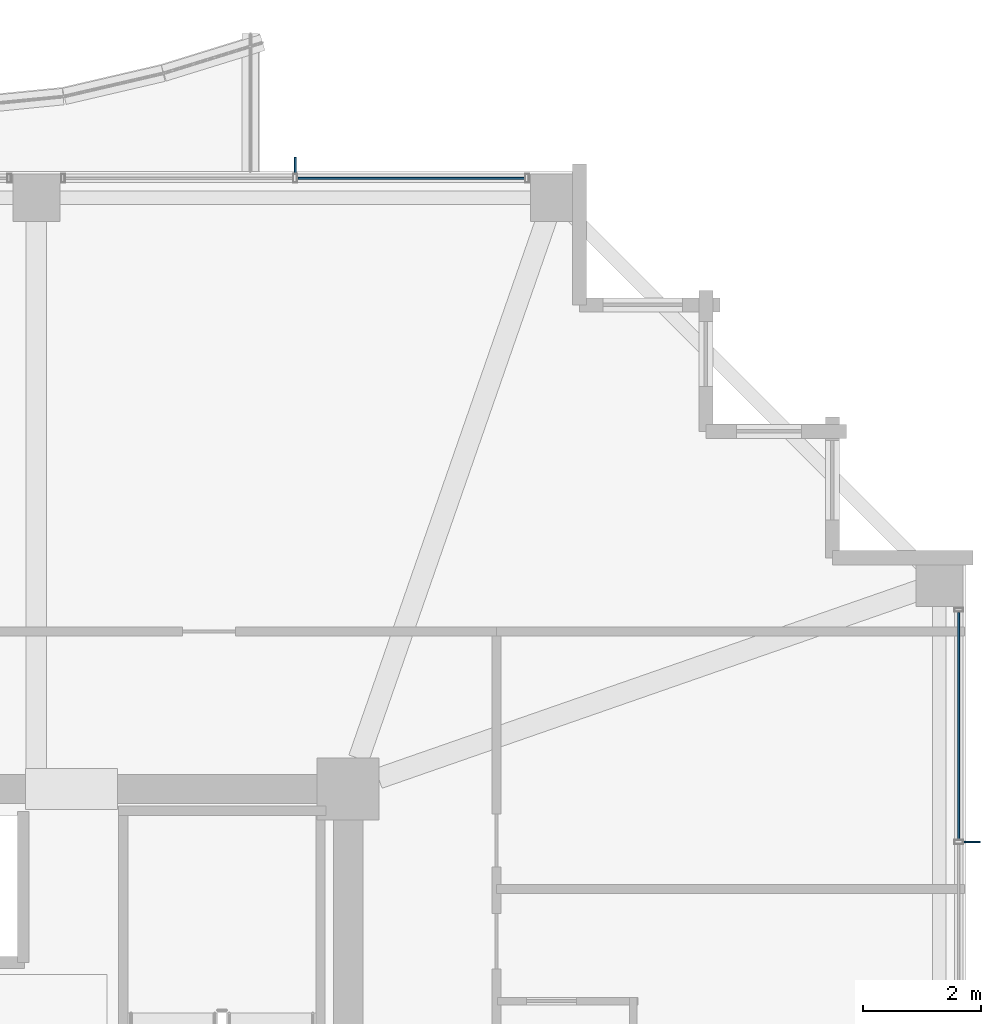
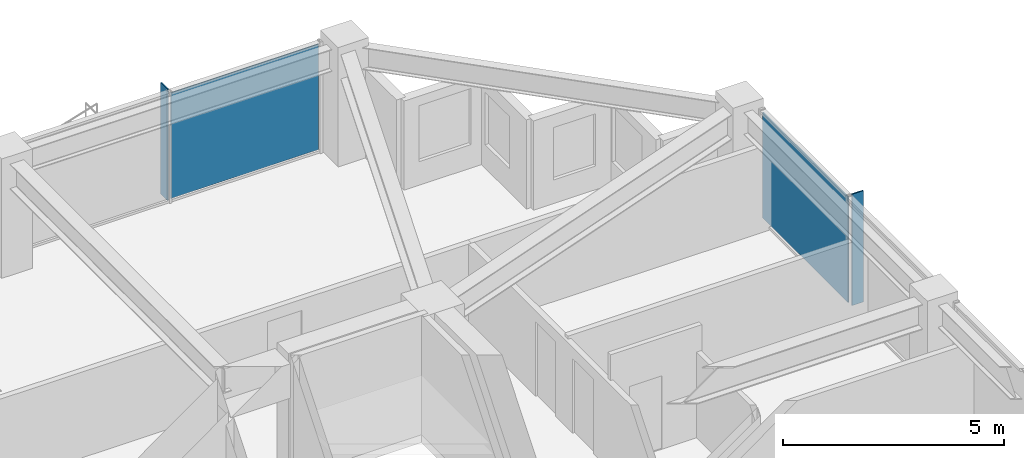
# One storey, part 29 of 36: 4 plates, 2 elements without a shape of their own.
"""IFC4 building model written with IfcOpenShell, lengths in metres."""

import ifcopenshell
import ifcopenshell.guid

model = None  # the IFC model being written
_history = None  # IfcOwnerHistory: only IFC2X3 demands one
_inside = {}  # id of a spatial element -> (the spatial element, [elements in it])
_under = {}  # id of a project, library or spatial element -> (it, [spatial elements below it])
_declared = {}  # id of a project -> (the project, [libraries it declares])
_typed = {}  # id of a type object -> (the type object, [elements of that type])
_made_of = {}  # id of a material, layer set ... -> (it, [elements and type objects made of it])


def new_model(schema):
    """Start an empty IFC model of exactly this schema.

    Asked for "IFC4X3", IfcOpenShell would pick the latest addendum, in which some entities
    have other attributes; the version numbers below select the first issue.
    IFC2X3 requires an IfcOwnerHistory on every rooted entity: one is made here for all.
    """
    global model, _history
    if schema == "IFC4X3":
        model = ifcopenshell.file(schema_version=(4, 3, 0, 0))
    else:
        model = ifcopenshell.file(schema=schema)
    _inside.clear()
    _under.clear()
    _declared.clear()
    _typed.clear()
    _made_of.clear()
    _history = None
    if model.schema == "IFC2X3":
        org = make("IfcOrganization", Name="unknown")
        user = make(
            "IfcPersonAndOrganization",
            ThePerson=make("IfcPerson", FamilyName="unknown"),
            TheOrganization=org,
        )
        app = make(
            "IfcApplication",
            ApplicationDeveloper=org,
            Version="unknown",
            ApplicationFullName="unknown",
            ApplicationIdentifier="unknown",
        )
        _history = make(
            "IfcOwnerHistory",
            OwningUser=user,
            OwningApplication=app,
            ChangeAction="ADDED",
            CreationDate=0,
        )
    return model


def make(cls, **values):
    """One entity of the class cls with the attributes given. An attribute that is None is left unset."""
    return model.create_entity(
        cls, **{name: value for name, value in values.items() if value is not None}
    )


def rooted(cls, **values):
    """An entity with a GlobalId (a new one), such as an element, a storey or a relation."""
    return make(cls, GlobalId=ifcopenshell.guid.new(), OwnerHistory=_history, **values)


def si_unit(unit_type, name, prefix=None):
    """IfcSIUnit, for example si_unit("LENGTHUNIT", "METRE", prefix="MILLI")."""
    return make("IfcSIUnit", UnitType=unit_type, Prefix=prefix, Name=name)


def assignment(units):
    """IfcUnitAssignment: the units of a project."""
    return None if units is None else make("IfcUnitAssignment", Units=units)


def point(xyz):
    """IfcCartesianPoint."""
    return None if xyz is None else make("IfcCartesianPoint", Coordinates=xyz)


def direction(xyz):
    """IfcDirection."""
    return None if xyz is None else make("IfcDirection", DirectionRatios=xyz)


def frame(location, z_axis=None, x_axis=None):
    """IfcAxis2Placement3D, a coordinate frame: its origin and axes. An axis left out is left unset."""
    return make(
        "IfcAxis2Placement3D",
        Location=point(location),
        Axis=direction(z_axis),
        RefDirection=direction(x_axis),
    )


def frame_2d(location, x_axis=None):
    """IfcAxis2Placement2D, a coordinate frame in the plane: its origin and x axis."""
    return make(
        "IfcAxis2Placement2D", Location=point(location), RefDirection=direction(x_axis)
    )


def origin():
    """The frame at (0, 0, 0) with its axes left unset."""
    return frame((0.0, 0.0, 0.0))


def origin_2d():
    """The frame at (0, 0) in the plane with its x axis left unset."""
    return frame_2d((0.0, 0.0))


def place(relative_to, where):
    """IfcLocalPlacement: puts the frame where relative to a parent placement (None: the world)."""
    return make(
        "IfcLocalPlacement", PlacementRelTo=relative_to, RelativePlacement=where
    )


def context(
    kind, dimensions, precision=None, world=None, true_north=None, identifier=None
):
    """IfcGeometricRepresentationContext, for example the 3D "Model" context."""
    return make(
        "IfcGeometricRepresentationContext",
        ContextIdentifier=identifier,
        ContextType=kind,
        CoordinateSpaceDimension=dimensions,
        Precision=precision,
        WorldCoordinateSystem=world,
        TrueNorth=true_north,
    )


def subcontext(parent, identifier, kind, view, scale=None):
    """IfcGeometricRepresentationSubContext, for example "Body" below "Model"."""
    return make(
        "IfcGeometricRepresentationSubContext",
        ContextIdentifier=identifier,
        ContextType=kind,
        ParentContext=parent,
        TargetScale=scale,
        TargetView=view,
    )


def project(units=None, contexts=None):
    """IfcProject with its units and contexts."""
    return rooted(
        "IfcProject",
        Name="project",
        RepresentationContexts=contexts,
        UnitsInContext=assignment(units),
    )


def spatial(cls, under=None, at=None, **own):
    """A site, building, storey or space (cls), placed at a placement, below another one or the project."""
    s = rooted(cls, ObjectPlacement=at, **own)
    if under is not None:
        _under.setdefault(under.id(), (under, []))[1].append(s)
    return s


def profile(cls, at=None, kind="AREA", **sizes):
    """A parametric profile (cls). Its sizes go by their IFC names, for example OverallWidth=200.0."""
    return make(cls, ProfileType=kind, Position=at, **sizes)


def rectangle(**sizes):
    """IfcRectangleProfileDef."""
    return profile("IfcRectangleProfileDef", **sizes)


def extrude(swept, where, along, depth):
    """IfcExtrudedAreaSolid: the profile swept, set in the frame where, extruded along a direction by depth."""
    return make(
        "IfcExtrudedAreaSolid",
        SweptArea=swept,
        Position=where,
        ExtrudedDirection=direction(along),
        Depth=depth,
    )


def shape(context_of_items, identifier, shape_type, items):
    """IfcShapeRepresentation: the items that make up one representation, for example the "Body"."""
    return make(
        "IfcShapeRepresentation",
        ContextOfItems=context_of_items,
        RepresentationIdentifier=identifier,
        RepresentationType=shape_type,
        Items=items,
    )


def material(Name=None, Category=None):
    """IfcMaterial."""
    return make("IfcMaterial", Name=Name, Category=Category)


def layer(
    of_material, thickness, ventilated=None, Name=None, Category=None, Priority=None
):
    """IfcMaterialLayer: one layer of a wall or slab, of a material (None: an air gap)."""
    return make(
        "IfcMaterialLayer",
        Material=of_material,
        LayerThickness=thickness,
        IsVentilated=ventilated,
        Name=Name,
        Category=Category,
        Priority=Priority,
    )


def layer_set(layers, Name=None):
    """IfcMaterialLayerSet."""
    return make("IfcMaterialLayerSet", MaterialLayers=layers, LayerSetName=Name)


def made_of(thing, what):
    """Note that an element or type object is made of a material, layer set ...; save() writes the relation."""
    if what is not None:
        _made_of.setdefault(what.id(), (what, []))[1].append(thing)
    return thing


def type_object(cls, material=None, **own):
    """A type object (cls), such as IfcWallType, which elements share."""
    return made_of(rooted(cls, **own), material)


def element(
    cls,
    number,
    at=None,
    inside=None,
    cuts=None,
    type_object=None,
    material=None,
    context=None,
    identifier="Body",
    shape_type=None,
    held_by="IfcProductDefinitionShape",
    body=None,
    shapes=None,
    **own,
):
    """One element of the class cls, such as IfcWall. Its Tag is "e" and its number.

    at: its placement. inside: the storey or other place that contains it. cuts: it is an
    opening in that element (IfcRelVoidsElement). A single representation is given by context,
    identifier, shape_type and body (its items); several are given by shapes. held_by: the class
    of the entity that holds the representations. save() writes the other relations.
    """
    e = rooted(cls, Tag="e%d" % number, ObjectPlacement=at, **own)
    if body is not None:
        shapes = [shape(context, identifier, shape_type, body)]
    if shapes is not None:
        e.Representation = make(held_by, Representations=shapes)
    if inside is not None:
        _inside.setdefault(inside.id(), (inside, []))[1].append(e)
    if cuts is not None:
        rooted(
            "IfcRelVoidsElement", RelatingBuildingElement=cuts, RelatedOpeningElement=e
        )
    if type_object is not None:
        _typed.setdefault(type_object.id(), (type_object, []))[1].append(e)
    return made_of(e, material)


def aggregate(whole, parts):
    """IfcRelAggregates: a whole, such as a stair, and the parts it consists of."""
    return rooted("IfcRelAggregates", RelatingObject=whole, RelatedObjects=parts)


def save(model, path):
    """Write the relations noted so far, then the file.

    IfcRelAggregates (storeys below a building ...), IfcRelContainedInSpatialStructure (elements
    in a storey), IfcRelDefinesByType, IfcRelAssociatesMaterial and IfcRelDeclares: one each for
    every whole, place, type object, material and project.
    """
    for whole, parts in _under.values():
        aggregate(whole, parts)
    for where, things in _inside.values():
        rooted(
            "IfcRelContainedInSpatialStructure",
            RelatedElements=things,
            RelatingStructure=where,
        )
    for kind, things in _typed.values():
        rooted("IfcRelDefinesByType", RelatedObjects=things, RelatingType=kind)
    for what, things in _made_of.values():
        rooted("IfcRelAssociatesMaterial", RelatedObjects=things, RelatingMaterial=what)
    for by, libraries in _declared.values():
        rooted("IfcRelDeclares", RelatingContext=by, RelatedDefinitions=libraries)
    model.write(path)


model = new_model("IFC4")

# Units and contexts
model_context = context("Model", 3, precision=1e-05, world=origin(), true_north=direction((0.0, 1.0)))
body_context = subcontext(model_context, "Body", "Model", "MODEL_VIEW")
ifc_project = project(units=[si_unit("LENGTHUNIT", "METRE"), si_unit("AREAUNIT", "SQUARE_METRE"), si_unit("VOLUMEUNIT", "CUBIC_METRE"), si_unit("PLANEANGLEUNIT", "RADIAN"), si_unit("MASSUNIT", "GRAM", prefix="KILO")], contexts=[model_context])

# Site, building, storey
site_placement = place(None, origin())
site = spatial("IfcSite", under=ifc_project, at=site_placement, CompositionType="ELEMENT")
building_placement = place(site_placement, origin())
building = spatial("IfcBuilding", under=site, at=building_placement, Name="Kolvaren Belvedere", CompositionType="ELEMENT")
storey_placement = place(building_placement, frame((0.0, 0.0, 199.800048828125)))
storey = spatial("IfcBuildingStorey", under=building, at=storey_placement, Name="L58", CompositionType="ELEMENT", Elevation=199.800048828125)

# Curtain wall, plate
ifc_material_1 = material(Name="Anodised pale-metal aluminium AA 6063-T6", Category="aluminium")
curtain_wall_type = type_object("IfcCurtainWallType", Name="CW-Z5-HIGH", PredefinedType="NOTDEFINED", material=ifc_material_1)
curtain_wall_1_placement = place(storey_placement, origin())
curtain_wall_1 = element("IfcCurtainWall", 1, at=curtain_wall_1_placement, inside=storey, type_object=curtain_wall_type, Name="L58 Unitised Curtain Wall FCW-L58-E-B1", PredefinedType="NOTDEFINED")
ifc_material_2 = material(Name="Low-iron triple insulated glass", Category="glass")
ifc_layer_1 = layer(ifc_material_2, 0.028076171875)
ifc_layer_set_1 = layer_set([ifc_layer_1], Name="Low-iron triple insulated glass")
plate_type_1 = type_object("IfcPlateType", Name="CW-PNL-VIS28", PredefinedType="CURTAIN_PANEL", material=ifc_layer_set_1)
plate_1_placement = place(storey_placement, frame((20.280029296875, 10.972412109375, 0.080078125), z_axis=(0.0, 0.0, 1.0), x_axis=(0.0, -1.0, 0.0)))
plate_1 = element("IfcPlate", 2, at=plate_1_placement, type_object=plate_type_1, Name="FCW-L58-E-B1 Vision Glazing Panel 1", PredefinedType="CURTAIN_PANEL", context=body_context, shape_type="SweptSolid", body=[
    extrude(rectangle(XDim=3.864990234375, YDim=0.028076171875, at=origin_2d()), origin(), (0.0, 0.0, 1.0), 2.919921875),
])
aggregate(curtain_wall_1, [plate_1])

curtain_wall_2_placement = place(storey_placement, origin())
curtain_wall_2 = element("IfcCurtainWall", 3, at=curtain_wall_2_placement, inside=storey, type_object=curtain_wall_type, Name="L58 Unitised Curtain Wall FCW-L58-N2-B2", PredefinedType="NOTDEFINED")
plate_2_placement = place(storey_placement, frame((10.972412109375, 20.280029296875, 0.080078125), z_axis=(0.0, 0.0, 1.0), x_axis=(1.0, 0.0, 0.0)))
plate_2 = element("IfcPlate", 4, at=plate_2_placement, type_object=plate_type_1, Name="FCW-L58-N2-B2 Vision Glazing Panel 2", PredefinedType="CURTAIN_PANEL", context=body_context, shape_type="SweptSolid", body=[
    extrude(rectangle(XDim=3.864990234375, YDim=0.028076171875, at=origin_2d()), origin(), (0.0, 0.0, 1.0), 2.919921875),
])
aggregate(curtain_wall_2, [plate_2])

# Plates
ifc_material_3 = material(Name="Anodised pale-metal aluminium AA 6063-T6", Category="aluminium")
ifc_layer_2 = layer(ifc_material_3, 0.030029296875)
ifc_layer_set_2 = layer_set([ifc_layer_2], Name="Anodised pale-metal aluminium AA 6063-T6")
plate_type_2 = type_object("IfcPlateType", Name="FIN-VERT-300", PredefinedType="USERDEFINED", material=ifc_layer_set_2)
for number, where, z_axis, x_axis, name in (
    (5, (20.489990234375, 9.0, 0.0), (0.0, 0.0, 1.0), (1.0, 0.0, 0.0), "L58 Pale-Metal Vertical Shading Fin FCW-L58-E-B1-1"),
    (6, (9.0, 20.489990234375, 0.0), (0.0, 0.0, 1.0), (0.0, 1.0, 0.0), "L58 Pale-Metal Vertical Shading Fin FCW-L58-N2-B2-1"),
):
    element("IfcPlate", number, at=place(storey_placement, frame(where, z_axis=z_axis, x_axis=x_axis)), inside=storey, type_object=plate_type_2, Name=name, ObjectType="VERTICAL FIN", PredefinedType="USERDEFINED", context=body_context, shape_type="SweptSolid", body=[
        extrude(rectangle(XDim=0.300048828125, YDim=0.030029296875, at=origin_2d()), origin(), (0.0, 0.0, 1.0), 3.080078125),
    ])

save(model, "model.ifc")
